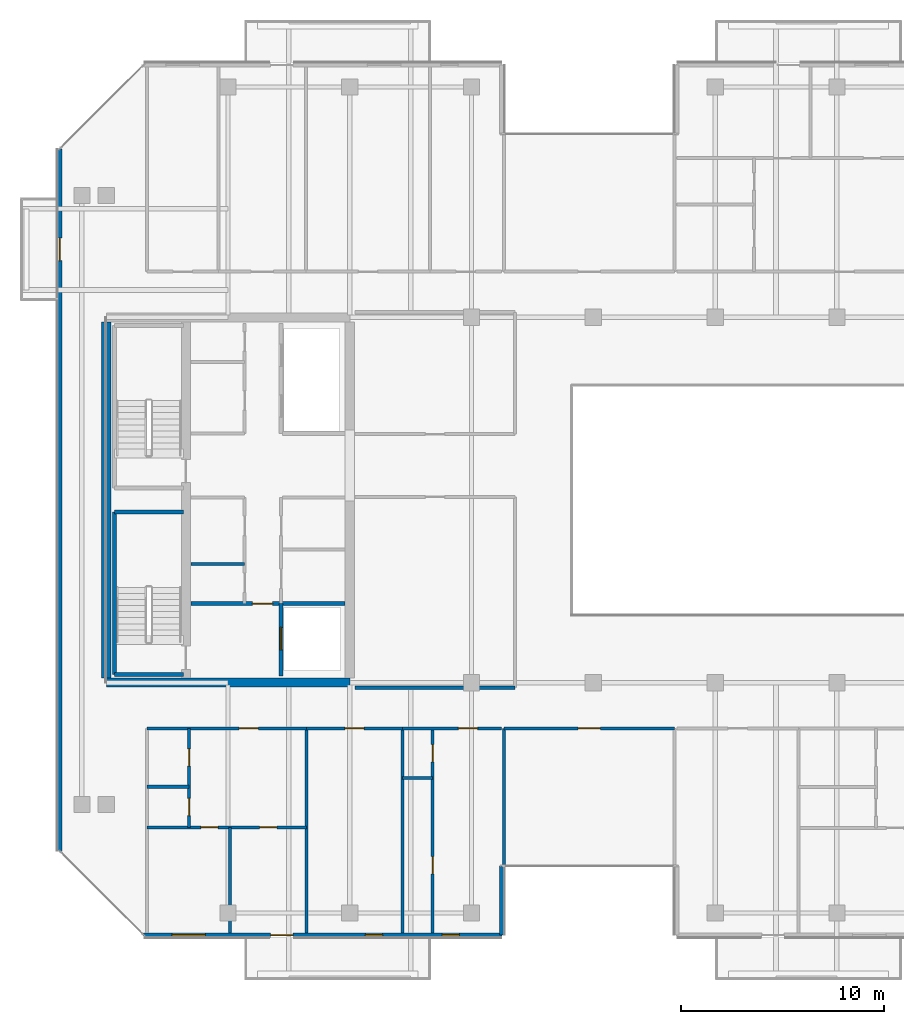
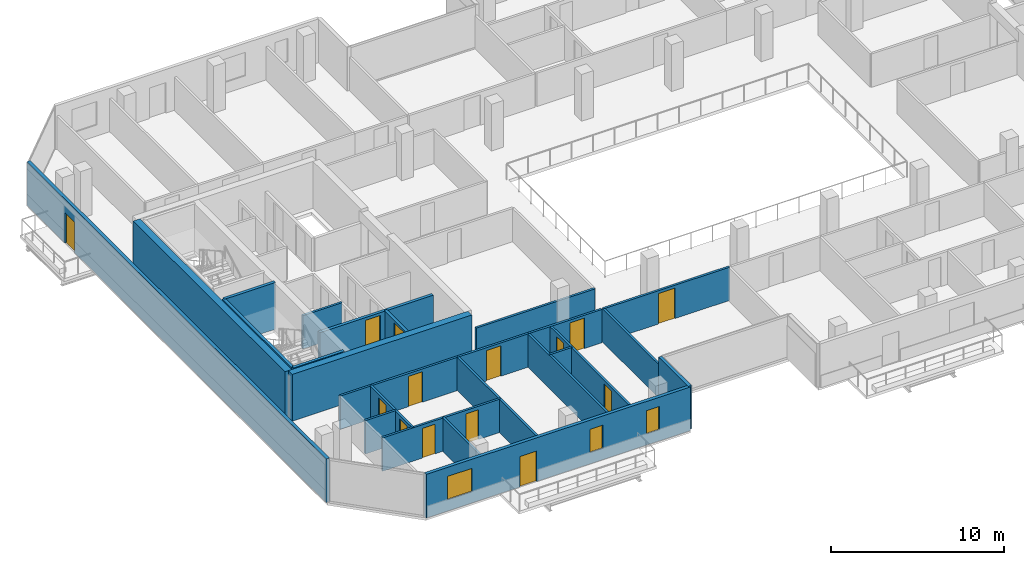
# One storey, part 18 of 29: 25 walls, 14 doors, 3 windows, 17 openings.
"""IFC4 building model written with IfcOpenShell, lengths in metres."""

from ifc_helpers import new_model, si_unit, direction, frame, frame_2d, origin, place, context, subcontext, project, spatial, rectangle, extrude, material, layer, layer_set, type_object, element, fill, save


model = new_model("IFC4")

# Units and contexts
model_context = context("Model", 3, precision=1e-05, world=origin(), true_north=direction((0.0, 1.0)))
body_context = subcontext(model_context, "Body", "Model", "MODEL_VIEW")
ifc_project = project(units=[si_unit("LENGTHUNIT", "METRE"), si_unit("AREAUNIT", "SQUARE_METRE"), si_unit("VOLUMEUNIT", "CUBIC_METRE"), si_unit("PLANEANGLEUNIT", "RADIAN"), si_unit("MASSUNIT", "GRAM", prefix="KILO")], contexts=[model_context])

# Site, building, storey
site_placement = place(None, origin())
site = spatial("IfcSite", under=ifc_project, at=site_placement, CompositionType="ELEMENT")
building_placement = place(site_placement, origin())
building = spatial("IfcBuilding", under=site, at=building_placement, Name="Tanjung Sevakor Pilgrim Tower", CompositionType="ELEMENT")
storey_placement = place(building_placement, frame((0.0, 0.0, 188.429931640625)))
storey = spatial("IfcBuildingStorey", under=building, at=storey_placement, Name="L52", CompositionType="ELEMENT", Elevation=188.429931640625)

# Walls
ifc_material_1 = material(Name="Concrete C60/75", Category="concrete")
ifc_layer_1 = layer(ifc_material_1, 0.449951171875)
ifc_layer_set_1 = layer_set([ifc_layer_1], Name="WALL-CW-450")
wall_type_1 = type_object("IfcWallType", Name="WALL-CW-450", PredefinedType="SHEAR", material=ifc_layer_set_1)
wall_1_placement = place(storey_placement, frame((24.0, 24.60009765625, 0.0), z_axis=(0.0, 0.0, 1.0), x_axis=(1.0, 0.0, 0.0)))
element("IfcWall", 1, at=wall_1_placement, inside=storey, type_object=wall_type_1, Name="L52 W Core South Shear Wall", PredefinedType="SHEAR", context=body_context, shape_type="SweptSolid", body=[
    extrude(rectangle(XDim=12.0, YDim=0.449951171875, at=frame_2d((6.0, 0.0))), origin(), (0.0, 0.0, 1.0), 3.300048828125),
])
wall_2_placement = place(storey_placement, frame((24.0, 24.824951171875, 0.0), z_axis=(0.0, 0.0, 1.0), x_axis=(0.0, 1.0, 0.0)))
element("IfcWall", 2, at=wall_2_placement, inside=storey, type_object=wall_type_1, Name="L52 W Core Outer Shear Wall", PredefinedType="SHEAR", context=body_context, shape_type="SweptSolid", body=[
    extrude(rectangle(XDim=17.550048828125, YDim=0.449951171875, at=frame_2d((8.77490234375, 0.0))), origin(), (0.0, 0.0, 1.0), 3.300048828125),
])
ifc_material_2 = material(Name="Concrete C40/50", Category="concrete")
ifc_layer_2 = layer(ifc_material_2, 0.14990234375)
ifc_layer_set_2 = layer_set([ifc_layer_2], Name="WT-COMP-150")
wall_type_2 = type_object("IfcWallType", Name="WT-COMP-150", PredefinedType="SOLIDWALL", material=ifc_layer_set_2)
wall_3_placement = place(storey_placement, frame((28.169921875, 30.449951171875, 0.0), z_axis=(0.0, 0.0, 1.0), x_axis=(1.0, 0.0, 0.0)))
element("IfcWall", 3, at=wall_3_placement, inside=storey, type_object=wall_type_2, Name="L52 Partition IW-L52-003", PredefinedType="SOLIDWALL", context=body_context, shape_type="SweptSolid", body=[
    extrude(rectangle(XDim=2.630126953125, YDim=0.14990234375, at=frame_2d((1.31494140625, 0.0))), origin(), (0.0, 0.0, 1.0), 2.35009765625),
])
wall_4_placement = place(storey_placement, frame((36.2451171875, 24.35009765625, 0.0), z_axis=(0.0, 0.0, 1.0), x_axis=(1.0, 0.0, 0.0)))
element("IfcWall", 4, at=wall_4_placement, inside=storey, type_object=wall_type_2, Name="L52 Partition IW-L52-027", PredefinedType="SOLIDWALL", context=body_context, shape_type="SweptSolid", body=[
    extrude(rectangle(XDim=7.90478515625, YDim=0.14990234375, at=frame_2d((3.952392578125, 0.0))), origin(), (0.0, 0.0, 1.0), 2.35009765625),
])

# Wall, opening, door
wall_5_placement = place(storey_placement, frame((43.60009765625, 22.35009765625, 0.0), z_axis=(0.0, 0.0, 1.0), x_axis=(1.0, 0.0, 0.0)))
wall_5 = element("IfcWall", 5, at=wall_5_placement, inside=storey, type_object=wall_type_2, Name="L52 Partition IW-L52-039", PredefinedType="SOLIDWALL", context=body_context, shape_type="SweptSolid", body=[
    extrude(rectangle(XDim=8.39990234375, YDim=0.14990234375, at=frame_2d((4.199951171875, 0.0))), origin(), (0.0, 0.0, 1.0), 2.35009765625),
])
opening_1_placement = place(wall_5_placement, frame((3.64990234375, 0.0, 0.0)))
opening_1 = element("IfcOpeningElement", 6, at=opening_1_placement, cuts=wall_5, Name="Opening ID-RM2", PredefinedType="OPENING", context=body_context, shape_type="SweptSolid", body=[
    extrude(rectangle(XDim=1.10009765625, YDim=2.14990234375, at=frame_2d((0.550048828125, 1.074951171875))), frame((0.0, 0.0849609375, 0.0), z_axis=(0.0, -1.0, 0.0), x_axis=(1.0, 0.0, 0.0)), (0.0, 0.0, 1.0), 0.169921875),
])
ifc_material_3 = material(Name="Hardwood Timber", Category="wood")
door_type_1 = type_object("IfcDoorType", Name="DT-INT-1100", OperationType="NOTDEFINED", PredefinedType="DOOR", material=ifc_material_3)
door_1_placement = place(opening_1_placement, origin())
door_1 = element("IfcDoor", 7, at=door_1_placement, inside=storey, type_object=door_type_1, Name="L52 South Cleft Observatory Door", OperationType="SINGLE_SWING_LEFT", OverallHeight=2.14990234375, OverallWidth=1.10009765625, PredefinedType="DOOR", context=body_context, shape_type="SweptSolid", body=[
    extrude(rectangle(XDim=1.10009765625, YDim=2.14990234375, at=frame_2d((0.550048828125, 1.074951171875))), frame((0.0, 0.02490234375, 0.0), z_axis=(0.0, -1.0, 0.0), x_axis=(1.0, 0.0, 0.0)), (0.0, 0.0, 1.0), 0.050048828125),
])
fill(opening_1, door_1)

# Walls
for number, where, z_axis, x_axis, name in (
    (8, (43.60009765625, 12.27001953125, 0.0), (0.0, 0.0, 1.0), (0.0, 1.0, 0.0), "L52 Partition IW-L52-040"),
    (9, (33.87646484375, 12.27001953125, 0.0), (0.0, 0.0, 1.0), (0.0, 1.0, 0.0), "L52 Partition IW-L52-046"),
):
    element("IfcWall", number, at=place(storey_placement, frame(where, z_axis=z_axis, x_axis=x_axis)), inside=storey, type_object=wall_type_2, Name=name, PredefinedType="SOLIDWALL", context=body_context, shape_type="SweptSolid", body=[
        extrude(rectangle(XDim=10.080078125, YDim=0.14990234375, at=frame_2d((5.0400390625, 0.0))), origin(), (0.0, 0.0, 1.0), 2.35009765625),
    ])

# Wall, opening, door
wall_6_placement = place(storey_placement, frame((26.0, 22.35009765625, 0.0), z_axis=(0.0, 0.0, 1.0), x_axis=(1.0, 0.0, 0.0)))
wall_6 = element("IfcWall", 10, at=wall_6_placement, inside=storey, type_object=wall_type_2, Name="L52 Partition IW-L52-051", PredefinedType="SOLIDWALL", context=body_context, shape_type="SweptSolid", body=[
    extrude(rectangle(XDim=7.87646484375, YDim=0.14990234375, at=frame_2d((3.938232421875, 0.0))), origin(), (0.0, 0.0, 1.0), 2.35009765625),
])
opening_2_placement = place(wall_6_placement, frame((4.543212890625, 0.0, 0.0)))
opening_2 = element("IfcOpeningElement", 11, at=opening_2_placement, cuts=wall_6, Name="Opening ID-FD2", PredefinedType="OPENING", context=body_context, shape_type="SweptSolid", body=[
    extrude(rectangle(XDim=0.949951171875, YDim=2.14990234375, at=frame_2d((0.47509765625, 1.074951171875))), frame((0.0, 0.0849609375, 0.0), z_axis=(0.0, -1.0, 0.0), x_axis=(1.0, 0.0, 0.0)), (0.0, 0.0, 1.0), 0.169921875),
])
ifc_material_4 = material(Name="Fire-Rated Timber", Category="wood")
door_type_2 = type_object("IfcDoorType", Name="DT-FIRE-950", OperationType="NOTDEFINED", PredefinedType="DOOR", material=ifc_material_4)
door_2_placement = place(opening_2_placement, origin())
door_2 = element("IfcDoor", 12, at=door_2_placement, inside=storey, type_object=door_type_2, Name="Suite Entrance", OperationType="SINGLE_SWING_LEFT", OverallHeight=2.14990234375, OverallWidth=0.949951171875, PredefinedType="DOOR", context=body_context, shape_type="SweptSolid", body=[
    extrude(rectangle(XDim=0.949951171875, YDim=2.14990234375, at=frame_2d((0.47509765625, 1.074951171875))), frame((0.0, 0.02490234375, 0.0), z_axis=(0.0, -1.0, 0.0), x_axis=(1.0, 0.0, 0.0)), (0.0, 0.0, 1.0), 0.050048828125),
])
fill(opening_2, door_2)

# Wall
wall_7_placement = place(storey_placement, frame((38.593994140625, 12.27001953125, 0.0), z_axis=(0.0, 0.0, 1.0), x_axis=(0.0, 1.0, 0.0)))
element("IfcWall", 13, at=wall_7_placement, inside=storey, type_object=wall_type_2, Name="L52 Partition IW-L52-052", PredefinedType="SOLIDWALL", context=body_context, shape_type="SweptSolid", body=[
    extrude(rectangle(XDim=10.080078125, YDim=0.14990234375, at=frame_2d((5.0400390625, 0.0))), origin(), (0.0, 0.0, 1.0), 2.35009765625),
])

# Wall, opening, door
wall_8_placement = place(storey_placement, frame((33.87646484375, 22.35009765625, 0.0), z_axis=(0.0, 0.0, 1.0), x_axis=(1.0, 0.0, 0.0)))
wall_8 = element("IfcWall", 14, at=wall_8_placement, inside=storey, type_object=wall_type_2, Name="L52 Partition IW-L52-053", PredefinedType="SOLIDWALL", context=body_context, shape_type="SweptSolid", body=[
    extrude(rectangle(XDim=4.717529296875, YDim=0.14990234375, at=frame_2d((2.35888671875, 0.0))), origin(), (0.0, 0.0, 1.0), 2.35009765625),
])
opening_3_placement = place(wall_8_placement, frame((1.8837890625, 0.0, 0.0)))
opening_3 = element("IfcOpeningElement", 15, at=opening_3_placement, cuts=wall_8, Name="Opening ID-FD2", PredefinedType="OPENING", context=body_context, shape_type="SweptSolid", body=[
    extrude(rectangle(XDim=0.949951171875, YDim=2.14990234375, at=frame_2d((0.47509765625, 1.074951171875))), frame((0.0, 0.0849609375, 0.0), z_axis=(0.0, -1.0, 0.0), x_axis=(1.0, 0.0, 0.0)), (0.0, 0.0, 1.0), 0.169921875),
])
door_3_placement = place(opening_3_placement, origin())
door_3 = element("IfcDoor", 16, at=door_3_placement, inside=storey, type_object=door_type_2, Name="Study Room Entrance", OperationType="SINGLE_SWING_RIGHT", OverallHeight=2.14990234375, OverallWidth=0.949951171875, PredefinedType="DOOR", context=body_context, shape_type="SweptSolid", body=[
    extrude(rectangle(XDim=0.949951171875, YDim=2.14990234375, at=frame_2d((0.47509765625, 1.074951171875))), frame((0.0, 0.02490234375, 0.0), z_axis=(0.0, -1.0, 0.0), x_axis=(1.0, 0.0, 0.0)), (0.0, 0.0, 1.0), 0.050048828125),
])
fill(opening_3, door_3)

wall_9_placement = place(storey_placement, frame((38.593994140625, 22.35009765625, 0.0), z_axis=(0.0, 0.0, 1.0), x_axis=(1.0, 0.0, 0.0)))
wall_9 = element("IfcWall", 17, at=wall_9_placement, inside=storey, type_object=wall_type_2, Name="L52 Partition IW-L52-056", PredefinedType="SOLIDWALL", context=body_context, shape_type="SweptSolid", body=[
    extrude(rectangle(XDim=4.885986328125, YDim=0.14990234375, at=frame_2d((2.44287109375, 0.0))), origin(), (0.0, 0.0, 1.0), 2.35009765625),
])
opening_4_placement = place(wall_9_placement, frame((2.7509765625, 0.0, 0.0)))
opening_4 = element("IfcOpeningElement", 18, at=opening_4_placement, cuts=wall_9, Name="Opening ID-FD2", PredefinedType="OPENING", context=body_context, shape_type="SweptSolid", body=[
    extrude(rectangle(XDim=0.949951171875, YDim=2.14990234375, at=frame_2d((0.47509765625, 1.074951171875))), frame((0.0, 0.0849609375, 0.0), z_axis=(0.0, -1.0, 0.0), x_axis=(1.0, 0.0, 0.0)), (0.0, 0.0, 1.0), 0.169921875),
])
door_4_placement = place(opening_4_placement, origin())
door_4 = element("IfcDoor", 19, at=door_4_placement, inside=storey, type_object=door_type_2, Name="Hostel Quad Entrance", OperationType="SINGLE_SWING_LEFT", OverallHeight=2.14990234375, OverallWidth=0.949951171875, PredefinedType="DOOR", context=body_context, shape_type="SweptSolid", body=[
    extrude(rectangle(XDim=0.949951171875, YDim=2.14990234375, at=frame_2d((0.47509765625, 1.074951171875))), frame((0.0, 0.02490234375, 0.0), z_axis=(0.0, -1.0, 0.0), x_axis=(1.0, 0.0, 0.0)), (0.0, 0.0, 1.0), 0.050048828125),
])
fill(opening_4, door_4)

# Wall, openings, door, windows
ifc_material_5 = material(Name="Precast concrete C45/55", Category="concrete")
ifc_layer_3 = layer(ifc_material_5, 0.219970703125)
ifc_layer_set_3 = layer_set([ifc_layer_3], Name="WT-EW-STN4")
wall_type_3 = type_object("IfcWallType", Name="WT-EW-STN4", PredefinedType="SOLIDWALL", material=ifc_layer_set_3)
wall_10_placement = place(storey_placement, frame((25.845703125, 12.159912109375, 0.0), z_axis=(0.0, 0.0, 1.0), x_axis=(1.0, 0.0, 0.0)))
wall_10 = element("IfcWall", 20, at=wall_10_placement, inside=storey, type_object=wall_type_3, Name="L52 MAIN Exterior Wall 1", PredefinedType="SOLIDWALL", context=body_context, shape_type="SweptSolid", body=[
    extrude(rectangle(XDim=17.644287109375, YDim=0.219970703125, at=frame_2d((8.822265625, 0.0))), origin(), (0.0, 0.0, 1.0), 3.080078125),
])
opening_5_placement = place(wall_10_placement, frame((6.25439453125, 0.0, 0.0)))
opening_5 = element("IfcOpeningElement", 21, at=opening_5_placement, cuts=wall_10, Name="Opening ED-BAL-1100", PredefinedType="OPENING", context=body_context, shape_type="SweptSolid", body=[
    extrude(rectangle(XDim=1.10009765625, YDim=2.14990234375, at=frame_2d((0.550048828125, 1.074951171875))), frame((0.0, 0.119873046875, 0.0), z_axis=(0.0, -1.0, 0.0), x_axis=(1.0, 0.0, 0.0)), (0.0, 0.0, 1.0), 0.239990234375),
])
opening_6_placement = place(wall_10_placement, frame((1.38720703125, 0.0, 0.780029296875)))
opening_6 = element("IfcOpeningElement", 22, at=opening_6_placement, cuts=wall_10, Name="Opening WN-Z4-1660", PredefinedType="OPENING", context=body_context, shape_type="SweptSolid", body=[
    extrude(rectangle(XDim=1.64990234375, YDim=1.659912109375, at=frame_2d((0.824951171875, 0.830078125))), frame((0.0, 0.119873046875, 0.0), z_axis=(0.0, -1.0, 0.0), x_axis=(1.0, 0.0, 0.0)), (0.0, 0.0, 1.0), 0.239990234375),
])
opening_7_placement = place(wall_10_placement, frame((10.924560546875, 0.0, 0.780029296875)))
opening_7 = element("IfcOpeningElement", 23, at=opening_7_placement, cuts=wall_10, Name="Opening WN-SLM", PredefinedType="OPENING", context=body_context, shape_type="SweptSolid", body=[
    extrude(rectangle(XDim=0.85009765625, YDim=1.64990234375, at=frame_2d((0.425048828125, 0.824951171875))), frame((0.0, 0.119873046875, 0.0), z_axis=(0.0, -1.0, 0.0), x_axis=(1.0, 0.0, 0.0)), (0.0, 0.0, 1.0), 0.239990234375),
])
opening_8_placement = place(wall_10_placement, frame((14.699462890625, 0.0, 0.780029296875)))
opening_8 = element("IfcOpeningElement", 24, at=opening_8_placement, cuts=wall_10, Name="Opening WN-SLM", PredefinedType="OPENING", context=body_context, shape_type="SweptSolid", body=[
    extrude(rectangle(XDim=0.85009765625, YDim=1.64990234375, at=frame_2d((0.425048828125, 0.824951171875))), frame((0.0, 0.119873046875, 0.0), z_axis=(0.0, -1.0, 0.0), x_axis=(1.0, 0.0, 0.0)), (0.0, 0.0, 1.0), 0.239990234375),
])
ifc_material_6 = material(Name="Anodised Aluminium and Laminated Glass", Category="aluminium")
door_type_3 = type_object("IfcDoorType", Name="DTYP-ED-BAL-1100", OperationType="NOTDEFINED", PredefinedType="DOOR", material=ifc_material_6)
door_5_placement = place(opening_5_placement, frame((1.10009765625, 0.0, 0.0), z_axis=(0.0, 0.0, 1.0), x_axis=(-1.0, 0.0, 0.0)))
door_5 = element("IfcDoor", 25, at=door_5_placement, inside=storey, type_object=door_type_3, Name="L52 Balcony Door MAIN-S1", OperationType="SINGLE_SWING_LEFT", OverallHeight=2.14990234375, OverallWidth=1.10009765625, PredefinedType="DOOR", context=body_context, shape_type="SweptSolid", body=[
    extrude(rectangle(XDim=1.10009765625, YDim=2.14990234375, at=frame_2d((0.550048828125, 1.074951171875))), frame((0.0, 0.02490234375, 0.0), z_axis=(0.0, -1.0, 0.0), x_axis=(1.0, 0.0, 0.0)), (0.0, 0.0, 1.0), 0.050048828125),
])
fill(opening_5, door_5)
ifc_material_7 = material(Name="Thermally Broken Aluminium and Low-E Glass", Category="aluminium")
window_type_1 = type_object("IfcWindowType", Name="WTYP-WN-SLM", PartitioningType="SINGLE_PANEL", PredefinedType="WINDOW", material=ifc_material_7)
window_1_placement = place(opening_7_placement, origin())
window_1 = element("IfcWindow", 26, at=window_1_placement, inside=storey, type_object=window_type_1, Name="L52 Facade Window 02", OverallHeight=1.64990234375, OverallWidth=0.85009765625, PartitioningType="SINGLE_PANEL", PredefinedType="WINDOW", context=body_context, shape_type="SweptSolid", body=[
    extrude(rectangle(XDim=0.85009765625, YDim=1.64990234375, at=frame_2d((0.425048828125, 0.824951171875))), frame((0.0, 0.030029296875, 0.0), z_axis=(0.0, -1.0, 0.0), x_axis=(1.0, 0.0, 0.0)), (0.0, 0.0, 1.0), 0.06005859375),
])
fill(opening_7, window_1)
window_2_placement = place(opening_8_placement, origin())
window_2 = element("IfcWindow", 27, at=window_2_placement, inside=storey, type_object=window_type_1, Name="L52 Facade Window 03", OverallHeight=1.64990234375, OverallWidth=0.85009765625, PartitioningType="SINGLE_PANEL", PredefinedType="WINDOW", context=body_context, shape_type="SweptSolid", body=[
    extrude(rectangle(XDim=0.85009765625, YDim=1.64990234375, at=frame_2d((0.425048828125, 0.824951171875))), frame((0.0, 0.030029296875, 0.0), z_axis=(0.0, -1.0, 0.0), x_axis=(1.0, 0.0, 0.0)), (0.0, 0.0, 1.0), 0.06005859375),
])
fill(opening_8, window_2)
ifc_material_8 = material(Name="Thermally Broken Aluminium and Low-E Glass", Category="aluminium")
window_type_2 = type_object("IfcWindowType", Name="WTYP-WN-Z4-1660", PartitioningType="DOUBLE_PANEL_VERTICAL", PredefinedType="WINDOW", material=ifc_material_8)
window_3_placement = place(opening_6_placement, origin())
window_3 = element("IfcWindow", 28, at=window_3_placement, inside=storey, type_object=window_type_2, Name="L52 Facade Window 01", OverallHeight=1.659912109375, OverallWidth=1.64990234375, PartitioningType="SINGLE_PANEL", PredefinedType="WINDOW", context=body_context, shape_type="SweptSolid", body=[
    extrude(rectangle(XDim=1.64990234375, YDim=1.659912109375, at=frame_2d((0.824951171875, 0.830078125))), frame((0.0, 0.030029296875, 0.0), z_axis=(0.0, -1.0, 0.0), x_axis=(1.0, 0.0, 0.0)), (0.0, 0.0, 1.0), 0.06005859375),
])
fill(opening_6, window_3)

# Wall
wall_11_placement = place(storey_placement, frame((43.489990234375, 12.159912109375, 0.0), z_axis=(0.0, 0.0, 1.0), x_axis=(0.0, 1.0, 0.0)))
element("IfcWall", 29, at=wall_11_placement, inside=storey, type_object=wall_type_3, Name="L52 MAIN Exterior Wall 2", PredefinedType="SOLIDWALL", context=body_context, shape_type="SweptSolid", body=[
    extrude(rectangle(XDim=3.400146484375, YDim=0.219970703125, at=frame_2d((1.7001953125, 0.0))), origin(), (0.0, 0.0, 1.0), 3.080078125),
])

# Wall, opening, door
wall_12_placement = place(storey_placement, frame((21.7099609375, 50.904296875, 0.0), z_axis=(0.0, 0.0, 1.0), x_axis=(0.0, -1.0, 0.0)))
wall_12 = element("IfcWall", 30, at=wall_12_placement, inside=storey, type_object=wall_type_3, Name="L52 MAIN Exterior Wall 15", PredefinedType="SOLIDWALL", context=body_context, shape_type="SweptSolid", body=[
    extrude(rectangle(XDim=34.608642578125, YDim=0.219970703125, at=frame_2d((17.30419921875, 0.0))), origin(), (0.0, 0.0, 1.0), 3.080078125),
])
opening_9_placement = place(wall_12_placement, frame((4.404296875, 0.0, 0.0)))
opening_9 = element("IfcOpeningElement", 31, at=opening_9_placement, cuts=wall_12, Name="Opening ED-BAL-1100", PredefinedType="OPENING", context=body_context, shape_type="SweptSolid", body=[
    extrude(rectangle(XDim=1.10009765625, YDim=2.14990234375, at=frame_2d((0.550048828125, 1.074951171875))), frame((0.0, 0.119873046875, 0.0), z_axis=(0.0, -1.0, 0.0), x_axis=(1.0, 0.0, 0.0)), (0.0, 0.0, 1.0), 0.239990234375),
])
door_6_placement = place(opening_9_placement, frame((1.10009765625, 0.0, 0.0), z_axis=(0.0, 0.0, 1.0), x_axis=(-1.0, 0.0, 0.0)))
door_6 = element("IfcDoor", 32, at=door_6_placement, inside=storey, type_object=door_type_3, Name="L52 West Loggia Door MAIN-W1", OperationType="SINGLE_SWING_RIGHT", OverallHeight=2.14990234375, OverallWidth=1.10009765625, PredefinedType="DOOR", context=body_context, shape_type="SweptSolid", body=[
    extrude(rectangle(XDim=1.10009765625, YDim=2.14990234375, at=frame_2d((0.550048828125, 1.074951171875))), frame((0.0, 0.02490234375, 0.0), z_axis=(0.0, -1.0, 0.0), x_axis=(1.0, 0.0, 0.0)), (0.0, 0.0, 1.0), 0.050048828125),
])
fill(opening_9, door_6)

# Walls
ifc_material_9 = material(Name="Concrete C40/50", Category="concrete")
ifc_layer_4 = layer(ifc_material_9, 0.199951171875)
ifc_layer_set_4 = layer_set([ifc_layer_4], Name="WT-FIRE-200")
wall_type_4 = type_object("IfcWallType", Name="WT-FIRE-200", PredefinedType="SOLIDWALL", material=ifc_layer_set_4)
for number, where, z_axis, x_axis, name in (
    (33, (24.39990234375, 25.0, 0.0), (0.0, 0.0, 1.0), (1.0, 0.0, 0.0), "L52 TS-W1 Shaft Wall 1"),
    (34, (27.800048828125, 33.0, 0.0), (0.0, 0.0, 1.0), (-1.0, 0.0, 0.0), "L52 TS-W1 Shaft Wall 2"),
):
    element("IfcWall", number, at=place(storey_placement, frame(where, z_axis=z_axis, x_axis=x_axis)), inside=storey, type_object=wall_type_4, Name=name, PredefinedType="SOLIDWALL", context=body_context, shape_type="SweptSolid", body=[
        extrude(rectangle(XDim=3.400146484375, YDim=0.199951171875, at=frame_2d((1.7001953125, 0.0))), origin(), (0.0, 0.0, 1.0), 3.300048828125),
    ])
wall_13_placement = place(storey_placement, frame((24.39990234375, 33.0, 0.0), z_axis=(0.0, 0.0, 1.0), x_axis=(0.0, -1.0, 0.0)))
element("IfcWall", 35, at=wall_13_placement, inside=storey, type_object=wall_type_4, Name="L52 TS-W1 Shaft Wall 3", PredefinedType="SOLIDWALL", context=body_context, shape_type="SweptSolid", body=[
    extrude(rectangle(XDim=8.0, YDim=0.199951171875, at=frame_2d((4.0, 0.0))), origin(), (0.0, 0.0, 1.0), 3.300048828125),
])

# Wall, opening, door
ifc_material_10 = material(Name="Concrete C40/50", Category="concrete")
ifc_layer_5 = layer(ifc_material_10, 0.199951171875)
ifc_layer_set_5 = layer_set([ifc_layer_5], Name="WT-FPRT-200")
wall_type_5 = type_object("IfcWallType", Name="WT-FPRT-200", PredefinedType="SOLIDWALL", material=ifc_layer_set_5)
wall_14_placement = place(storey_placement, frame((32.60009765625, 24.919921875, 0.0), z_axis=(0.0, 0.0, 1.0), x_axis=(0.0, 1.0, 0.0)))
wall_14 = element("IfcWall", 36, at=wall_14_placement, inside=storey, type_object=wall_type_5, Name="L52 Partition IW-L52-001", PredefinedType="SOLIDWALL", context=body_context, shape_type="SweptSolid", body=[
    extrude(rectangle(XDim=3.580078125, YDim=0.199951171875, at=frame_2d((1.7900390625, 0.0))), origin(), (0.0, 0.0, 1.0), 2.35009765625),
])
opening_10_placement = place(wall_14_placement, frame((1.300048828125, 0.0, 0.0)))
opening_10 = element("IfcOpeningElement", 37, at=opening_10_placement, cuts=wall_14, Name="Opening LD-1100", PredefinedType="OPENING", context=body_context, shape_type="SweptSolid", body=[
    extrude(rectangle(XDim=1.10009765625, YDim=2.199951171875, at=frame_2d((0.550048828125, 1.10009765625))), frame((0.0, 0.10986328125, 0.0), z_axis=(0.0, -1.0, 0.0), x_axis=(1.0, 0.0, 0.0)), (0.0, 0.0, 1.0), 0.219970703125),
])
ifc_material_11 = material(Name="Brushed Stainless Steel S355J2", Category="steel")
door_type_4 = type_object("IfcDoorType", Name="DT-LIFT-1100", OperationType="SLIDING_TO_LEFT", PredefinedType="DOOR", material=ifc_material_11)
door_7_placement = place(opening_10_placement, origin())
door_7 = element("IfcDoor", 38, at=door_7_placement, inside=storey, type_object=door_type_4, Name="LD-FL-W", OperationType="SLIDING_TO_LEFT", OverallHeight=2.199951171875, OverallWidth=1.10009765625, PredefinedType="DOOR", context=body_context, shape_type="SweptSolid", body=[
    extrude(rectangle(XDim=1.10009765625, YDim=2.199951171875, at=frame_2d((0.550048828125, 1.10009765625))), frame((0.0, 0.02490234375, 0.0), z_axis=(0.0, -1.0, 0.0), x_axis=(1.0, 0.0, 0.0)), (0.0, 0.0, 1.0), 0.050048828125),
])
fill(opening_10, door_7)

wall_15_placement = place(storey_placement, frame((28.169921875, 28.5, 0.0), z_axis=(0.0, 0.0, 1.0), x_axis=(1.0, 0.0, 0.0)))
wall_15 = element("IfcWall", 39, at=wall_15_placement, inside=storey, type_object=wall_type_5, Name="L52 Partition IW-L52-002", PredefinedType="SOLIDWALL", context=body_context, shape_type="SweptSolid", body=[
    extrude(rectangle(XDim=7.5849609375, YDim=0.199951171875, at=frame_2d((3.79248046875, 0.0))), origin(), (0.0, 0.0, 1.0), 2.35009765625),
])
opening_11_placement = place(wall_15_placement, frame((3.030029296875, 0.0, 0.0)))
opening_11 = element("IfcOpeningElement", 40, at=opening_11_placement, cuts=wall_15, Name="Opening ID-FD1", PredefinedType="OPENING", context=body_context, shape_type="SweptSolid", body=[
    extrude(rectangle(XDim=1.0, YDim=2.14990234375, at=frame_2d((0.5, 1.074951171875))), frame((0.0, 0.10986328125, 0.0), z_axis=(0.0, -1.0, 0.0), x_axis=(1.0, 0.0, 0.0)), (0.0, 0.0, 1.0), 0.219970703125),
])
ifc_material_12 = material(Name="Fire-Rated Steel S355J2", Category="steel")
door_type_5 = type_object("IfcDoorType", Name="DT-FIRE-1000", OperationType="NOTDEFINED", PredefinedType="DOOR", material=ifc_material_12)
door_8_placement = place(opening_11_placement, origin())
door_8 = element("IfcDoor", 41, at=door_8_placement, inside=storey, type_object=door_type_5, Name="Fire Lobby Door W", OperationType="SINGLE_SWING_RIGHT", OverallHeight=2.14990234375, OverallWidth=1.0, PredefinedType="DOOR", context=body_context, shape_type="SweptSolid", body=[
    extrude(rectangle(XDim=1.0, YDim=2.14990234375, at=frame_2d((0.5, 1.074951171875))), frame((0.0, 0.02490234375, 0.0), z_axis=(0.0, -1.0, 0.0), x_axis=(1.0, 0.0, 0.0)), (0.0, 0.0, 1.0), 0.050048828125),
])
fill(opening_11, door_8)

# Wall
ifc_material_13 = material(Name="Gypsum Board Partition", Category="gypsum board")
ifc_layer_6 = layer(ifc_material_13, 0.14990234375)
ifc_layer_set_6 = layer_set([ifc_layer_6], Name="WT-PART-150")
wall_type_6 = type_object("IfcWallType", Name="WT-PART-150", PredefinedType="PARTITIONING", material=ifc_layer_set_6)
wall_16_placement = place(storey_placement, frame((26.0, 19.470703125, 0.0), z_axis=(0.0, 0.0, 1.0), x_axis=(1.0, 0.0, 0.0)))
element("IfcWall", 42, at=wall_16_placement, inside=storey, type_object=wall_type_6, Name="L52 Partition IW-L52-047", PredefinedType="PARTITIONING", context=body_context, shape_type="SweptSolid", body=[
    extrude(rectangle(XDim=2.080078125, YDim=0.14990234375, at=frame_2d((1.0400390625, 0.0))), origin(), (0.0, 0.0, 1.0), 2.35009765625),
])

# Wall, openings, doors
wall_17_placement = place(storey_placement, frame((28.080078125, 17.469970703125, 0.0), z_axis=(0.0, 0.0, 1.0), x_axis=(0.0, 1.0, 0.0)))
wall_17 = element("IfcWall", 43, at=wall_17_placement, inside=storey, type_object=wall_type_6, Name="L52 Partition IW-L52-048", PredefinedType="PARTITIONING", context=body_context, shape_type="SweptSolid", body=[
    extrude(rectangle(XDim=4.880126953125, YDim=0.14990234375, at=frame_2d((2.43994140625, 0.0))), origin(), (0.0, 0.0, 1.0), 2.35009765625),
])
opening_12_placement = place(wall_17_placement, frame((0.575439453125, 0.0, 0.0)))
opening_12 = element("IfcOpeningElement", 44, at=opening_12_placement, cuts=wall_17, Name="Opening ID-WC1", PredefinedType="OPENING", context=body_context, shape_type="SweptSolid", body=[
    extrude(rectangle(XDim=0.85009765625, YDim=2.10009765625, at=frame_2d((0.425048828125, 1.050048828125))), frame((0.0, 0.0849609375, 0.0), z_axis=(0.0, -1.0, 0.0), x_axis=(1.0, 0.0, 0.0)), (0.0, 0.0, 1.0), 0.169921875),
])
opening_13_placement = place(wall_17_placement, frame((3.015380859375, 0.0, 0.0)))
opening_13 = element("IfcOpeningElement", 45, at=opening_13_placement, cuts=wall_17, Name="Opening ID-WC1", PredefinedType="OPENING", context=body_context, shape_type="SweptSolid", body=[
    extrude(rectangle(XDim=0.85009765625, YDim=2.10009765625, at=frame_2d((0.425048828125, 1.050048828125))), frame((0.0, 0.0849609375, 0.0), z_axis=(0.0, -1.0, 0.0), x_axis=(1.0, 0.0, 0.0)), (0.0, 0.0, 1.0), 0.169921875),
])
ifc_material_14 = material(Name="Moisture-Resistant Timber", Category="wood")
door_type_6 = type_object("IfcDoorType", Name="DT-INT-850", OperationType="NOTDEFINED", PredefinedType="DOOR", material=ifc_material_14)
door_9_placement = place(opening_12_placement, origin())
door_9 = element("IfcDoor", 46, at=door_9_placement, inside=storey, type_object=door_type_6, Name="Suite Bathroom Door", OperationType="SINGLE_SWING_LEFT", OverallHeight=2.10009765625, OverallWidth=0.85009765625, PredefinedType="DOOR", context=body_context, shape_type="SweptSolid", body=[
    extrude(rectangle(XDim=0.85009765625, YDim=2.10009765625, at=frame_2d((0.425048828125, 1.050048828125))), frame((0.0, 0.02490234375, 0.0), z_axis=(0.0, -1.0, 0.0), x_axis=(1.0, 0.0, 0.0)), (0.0, 0.0, 1.0), 0.050048828125),
])
fill(opening_12, door_9)
door_10_placement = place(opening_13_placement, origin())
door_10 = element("IfcDoor", 47, at=door_10_placement, inside=storey, type_object=door_type_6, Name="Suite Kitchenette Door", OperationType="SINGLE_SWING_RIGHT", OverallHeight=2.10009765625, OverallWidth=0.85009765625, PredefinedType="DOOR", context=body_context, shape_type="SweptSolid", body=[
    extrude(rectangle(XDim=0.85009765625, YDim=2.10009765625, at=frame_2d((0.425048828125, 1.050048828125))), frame((0.0, 0.02490234375, 0.0), z_axis=(0.0, -1.0, 0.0), x_axis=(1.0, 0.0, 0.0)), (0.0, 0.0, 1.0), 0.050048828125),
])
fill(opening_13, door_10)

# Wall
wall_18_placement = place(storey_placement, frame((30.095703125, 12.27001953125, 0.0), z_axis=(0.0, 0.0, 1.0), x_axis=(0.0, 1.0, 0.0)))
element("IfcWall", 48, at=wall_18_placement, inside=storey, type_object=wall_type_6, Name="L52 Partition IW-L52-049", PredefinedType="PARTITIONING", context=body_context, shape_type="SweptSolid", body=[
    extrude(rectangle(XDim=5.199951171875, YDim=0.14990234375, at=frame_2d((2.60009765625, 0.0))), origin(), (0.0, 0.0, 1.0), 2.35009765625),
])

# Wall, openings, doors
wall_19_placement = place(storey_placement, frame((26.0, 17.469970703125, 0.0), z_axis=(0.0, 0.0, 1.0), x_axis=(1.0, 0.0, 0.0)))
wall_19 = element("IfcWall", 49, at=wall_19_placement, inside=storey, type_object=wall_type_6, Name="L52 Partition IW-L52-050", PredefinedType="PARTITIONING", context=body_context, shape_type="SweptSolid", body=[
    extrude(rectangle(XDim=7.87646484375, YDim=0.14990234375, at=frame_2d((3.938232421875, 0.0))), origin(), (0.0, 0.0, 1.0), 2.35009765625),
])
opening_14_placement = place(wall_19_placement, frame((2.662841796875, 0.0, 0.0)))
opening_14 = element("IfcOpeningElement", 50, at=opening_14_placement, cuts=wall_19, Name="Opening ID-WC1", PredefinedType="OPENING", context=body_context, shape_type="SweptSolid", body=[
    extrude(rectangle(XDim=0.85009765625, YDim=2.10009765625, at=frame_2d((0.425048828125, 1.050048828125))), frame((0.0, 0.0849609375, 0.0), z_axis=(0.0, -1.0, 0.0), x_axis=(1.0, 0.0, 0.0)), (0.0, 0.0, 1.0), 0.169921875),
])
opening_15_placement = place(wall_19_placement, frame((5.561279296875, 0.0, 0.0)))
opening_15 = element("IfcOpeningElement", 51, at=opening_15_placement, cuts=wall_19, Name="Opening ID-WC1", PredefinedType="OPENING", context=body_context, shape_type="SweptSolid", body=[
    extrude(rectangle(XDim=0.85009765625, YDim=2.10009765625, at=frame_2d((0.425048828125, 1.050048828125))), frame((0.0, 0.0849609375, 0.0), z_axis=(0.0, -1.0, 0.0), x_axis=(1.0, 0.0, 0.0)), (0.0, 0.0, 1.0), 0.169921875),
])
door_11_placement = place(opening_14_placement, origin())
door_11 = element("IfcDoor", 52, at=door_11_placement, inside=storey, type_object=door_type_6, Name="Suite Bedroom 1 Door", OperationType="SINGLE_SWING_LEFT", OverallHeight=2.10009765625, OverallWidth=0.85009765625, PredefinedType="DOOR", context=body_context, shape_type="SweptSolid", body=[
    extrude(rectangle(XDim=0.85009765625, YDim=2.10009765625, at=frame_2d((0.425048828125, 1.050048828125))), frame((0.0, 0.02490234375, 0.0), z_axis=(0.0, -1.0, 0.0), x_axis=(1.0, 0.0, 0.0)), (0.0, 0.0, 1.0), 0.050048828125),
])
fill(opening_14, door_11)
door_12_placement = place(opening_15_placement, origin())
door_12 = element("IfcDoor", 53, at=door_12_placement, inside=storey, type_object=door_type_6, Name="Suite Bedroom 2 Door", OperationType="SINGLE_SWING_RIGHT", OverallHeight=2.10009765625, OverallWidth=0.85009765625, PredefinedType="DOOR", context=body_context, shape_type="SweptSolid", body=[
    extrude(rectangle(XDim=0.85009765625, YDim=2.10009765625, at=frame_2d((0.425048828125, 1.050048828125))), frame((0.0, 0.02490234375, 0.0), z_axis=(0.0, -1.0, 0.0), x_axis=(1.0, 0.0, 0.0)), (0.0, 0.0, 1.0), 0.050048828125),
])
fill(opening_15, door_12)

# Wall
wall_20_placement = place(storey_placement, frame((38.593994140625, 19.89990234375, 0.0), z_axis=(0.0, 0.0, 1.0), x_axis=(1.0, 0.0, 0.0)))
element("IfcWall", 54, at=wall_20_placement, inside=storey, type_object=wall_type_6, Name="L52 Partition IW-L52-054", PredefinedType="PARTITIONING", context=body_context, shape_type="SweptSolid", body=[
    extrude(rectangle(XDim=1.486083984375, YDim=0.14990234375, at=frame_2d((0.7431640625, 0.0))), origin(), (0.0, 0.0, 1.0), 2.35009765625),
])

# Wall, openings, doors
wall_21_placement = place(storey_placement, frame((40.080078125, 12.27001953125, 0.0), z_axis=(0.0, 0.0, 1.0), x_axis=(0.0, 1.0, 0.0)))
wall_21 = element("IfcWall", 55, at=wall_21_placement, inside=storey, type_object=wall_type_6, Name="L52 Partition IW-L52-055", PredefinedType="PARTITIONING", context=body_context, shape_type="SweptSolid", body=[
    extrude(rectangle(XDim=10.080078125, YDim=0.14990234375, at=frame_2d((5.0400390625, 0.0))), origin(), (0.0, 0.0, 1.0), 2.35009765625),
])
opening_16_placement = place(wall_21_placement, frame((2.912109375, 0.0, 0.0)))
opening_16 = element("IfcOpeningElement", 56, at=opening_16_placement, cuts=wall_21, Name="Opening ID-WC1", PredefinedType="OPENING", context=body_context, shape_type="SweptSolid", body=[
    extrude(rectangle(XDim=0.85009765625, YDim=2.10009765625, at=frame_2d((0.425048828125, 1.050048828125))), frame((0.0, 0.0849609375, 0.0), z_axis=(0.0, -1.0, 0.0), x_axis=(1.0, 0.0, 0.0)), (0.0, 0.0, 1.0), 0.169921875),
])
opening_17_placement = place(wall_21_placement, frame((8.429931640625, 0.0, 0.0)))
opening_17 = element("IfcOpeningElement", 57, at=opening_17_placement, cuts=wall_21, Name="Opening ID-WC1", PredefinedType="OPENING", context=body_context, shape_type="SweptSolid", body=[
    extrude(rectangle(XDim=0.85009765625, YDim=2.10009765625, at=frame_2d((0.425048828125, 1.050048828125))), frame((0.0, 0.0849609375, 0.0), z_axis=(0.0, -1.0, 0.0), x_axis=(1.0, 0.0, 0.0)), (0.0, 0.0, 1.0), 0.169921875),
])
door_13_placement = place(opening_16_placement, origin())
door_13 = element("IfcDoor", 58, at=door_13_placement, inside=storey, type_object=door_type_6, Name="Study Nook Door", OperationType="SINGLE_SWING_LEFT", OverallHeight=2.10009765625, OverallWidth=0.85009765625, PredefinedType="DOOR", context=body_context, shape_type="SweptSolid", body=[
    extrude(rectangle(XDim=0.85009765625, YDim=2.10009765625, at=frame_2d((0.425048828125, 1.050048828125))), frame((0.0, 0.02490234375, 0.0), z_axis=(0.0, -1.0, 0.0), x_axis=(1.0, 0.0, 0.0)), (0.0, 0.0, 1.0), 0.050048828125),
])
fill(opening_16, door_13)
door_14_placement = place(opening_17_placement, origin())
door_14 = element("IfcDoor", 59, at=door_14_placement, inside=storey, type_object=door_type_6, Name="Bathroom Door", OperationType="SINGLE_SWING_RIGHT", OverallHeight=2.10009765625, OverallWidth=0.85009765625, PredefinedType="DOOR", context=body_context, shape_type="SweptSolid", body=[
    extrude(rectangle(XDim=0.85009765625, YDim=2.10009765625, at=frame_2d((0.425048828125, 1.050048828125))), frame((0.0, 0.02490234375, 0.0), z_axis=(0.0, -1.0, 0.0), x_axis=(1.0, 0.0, 0.0)), (0.0, 0.0, 1.0), 0.050048828125),
])
fill(opening_17, door_14)

save(model, "model.ifc")
